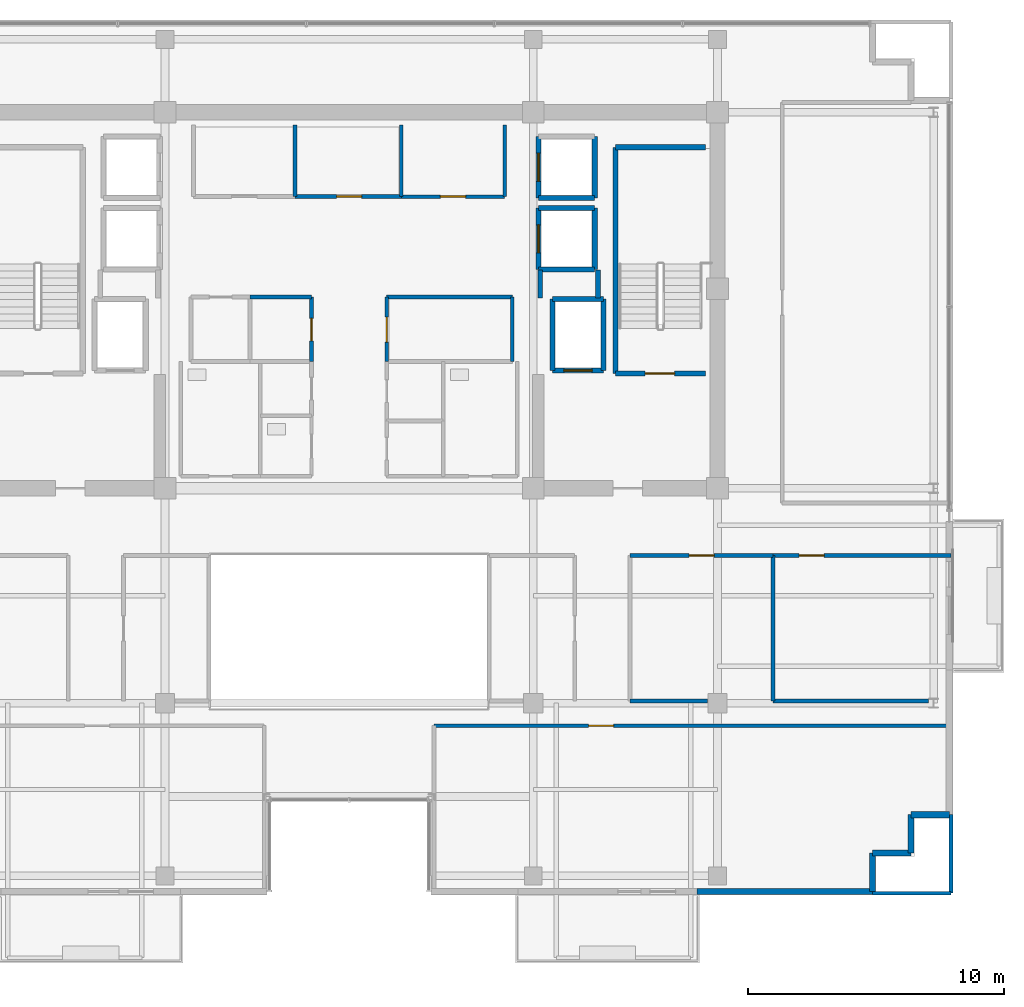
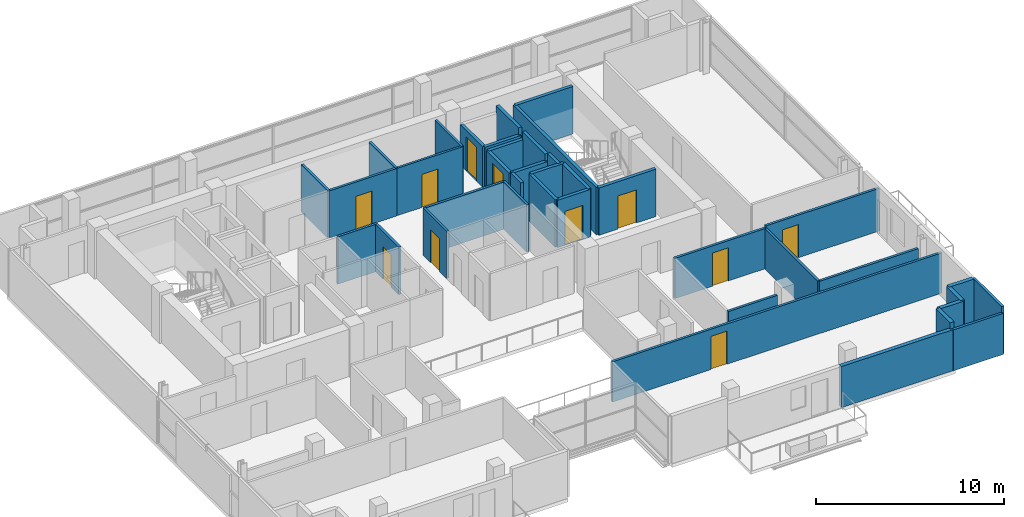
# One storey, part 17 of 22: 39 walls, 11 doors, 11 openings.
"""IFC4 building model written with IfcOpenShell, lengths in metres."""

import ifcopenshell
import ifcopenshell.guid

model = None  # the IFC model being written
_history = None  # IfcOwnerHistory: only IFC2X3 demands one
_inside = {}  # id of a spatial element -> (the spatial element, [elements in it])
_under = {}  # id of a project, library or spatial element -> (it, [spatial elements below it])
_declared = {}  # id of a project -> (the project, [libraries it declares])
_typed = {}  # id of a type object -> (the type object, [elements of that type])
_made_of = {}  # id of a material, layer set ... -> (it, [elements and type objects made of it])


def new_model(schema):
    """Start an empty IFC model of exactly this schema.

    Asked for "IFC4X3", IfcOpenShell would pick the latest addendum, in which some entities
    have other attributes; the version numbers below select the first issue.
    IFC2X3 requires an IfcOwnerHistory on every rooted entity: one is made here for all.
    """
    global model, _history
    if schema == "IFC4X3":
        model = ifcopenshell.file(schema_version=(4, 3, 0, 0))
    else:
        model = ifcopenshell.file(schema=schema)
    _inside.clear()
    _under.clear()
    _declared.clear()
    _typed.clear()
    _made_of.clear()
    _history = None
    if model.schema == "IFC2X3":
        org = make("IfcOrganization", Name="unknown")
        user = make(
            "IfcPersonAndOrganization",
            ThePerson=make("IfcPerson", FamilyName="unknown"),
            TheOrganization=org,
        )
        app = make(
            "IfcApplication",
            ApplicationDeveloper=org,
            Version="unknown",
            ApplicationFullName="unknown",
            ApplicationIdentifier="unknown",
        )
        _history = make(
            "IfcOwnerHistory",
            OwningUser=user,
            OwningApplication=app,
            ChangeAction="ADDED",
            CreationDate=0,
        )
    return model


def make(cls, **values):
    """One entity of the class cls with the attributes given. An attribute that is None is left unset."""
    return model.create_entity(
        cls, **{name: value for name, value in values.items() if value is not None}
    )


def rooted(cls, **values):
    """An entity with a GlobalId (a new one), such as an element, a storey or a relation."""
    return make(cls, GlobalId=ifcopenshell.guid.new(), OwnerHistory=_history, **values)


def si_unit(unit_type, name, prefix=None):
    """IfcSIUnit, for example si_unit("LENGTHUNIT", "METRE", prefix="MILLI")."""
    return make("IfcSIUnit", UnitType=unit_type, Prefix=prefix, Name=name)


def assignment(units):
    """IfcUnitAssignment: the units of a project."""
    return None if units is None else make("IfcUnitAssignment", Units=units)


def point(xyz):
    """IfcCartesianPoint."""
    return None if xyz is None else make("IfcCartesianPoint", Coordinates=xyz)


def direction(xyz):
    """IfcDirection."""
    return None if xyz is None else make("IfcDirection", DirectionRatios=xyz)


def frame(location, z_axis=None, x_axis=None):
    """IfcAxis2Placement3D, a coordinate frame: its origin and axes. An axis left out is left unset."""
    return make(
        "IfcAxis2Placement3D",
        Location=point(location),
        Axis=direction(z_axis),
        RefDirection=direction(x_axis),
    )


def frame_2d(location, x_axis=None):
    """IfcAxis2Placement2D, a coordinate frame in the plane: its origin and x axis."""
    return make(
        "IfcAxis2Placement2D", Location=point(location), RefDirection=direction(x_axis)
    )


def origin():
    """The frame at (0, 0, 0) with its axes left unset."""
    return frame((0.0, 0.0, 0.0))


def place(relative_to, where):
    """IfcLocalPlacement: puts the frame where relative to a parent placement (None: the world)."""
    return make(
        "IfcLocalPlacement", PlacementRelTo=relative_to, RelativePlacement=where
    )


def context(
    kind, dimensions, precision=None, world=None, true_north=None, identifier=None
):
    """IfcGeometricRepresentationContext, for example the 3D "Model" context."""
    return make(
        "IfcGeometricRepresentationContext",
        ContextIdentifier=identifier,
        ContextType=kind,
        CoordinateSpaceDimension=dimensions,
        Precision=precision,
        WorldCoordinateSystem=world,
        TrueNorth=true_north,
    )


def subcontext(parent, identifier, kind, view, scale=None):
    """IfcGeometricRepresentationSubContext, for example "Body" below "Model"."""
    return make(
        "IfcGeometricRepresentationSubContext",
        ContextIdentifier=identifier,
        ContextType=kind,
        ParentContext=parent,
        TargetScale=scale,
        TargetView=view,
    )


def project(units=None, contexts=None):
    """IfcProject with its units and contexts."""
    return rooted(
        "IfcProject",
        Name="project",
        RepresentationContexts=contexts,
        UnitsInContext=assignment(units),
    )


def spatial(cls, under=None, at=None, **own):
    """A site, building, storey or space (cls), placed at a placement, below another one or the project."""
    s = rooted(cls, ObjectPlacement=at, **own)
    if under is not None:
        _under.setdefault(under.id(), (under, []))[1].append(s)
    return s


def profile(cls, at=None, kind="AREA", **sizes):
    """A parametric profile (cls). Its sizes go by their IFC names, for example OverallWidth=200.0."""
    return make(cls, ProfileType=kind, Position=at, **sizes)


def rectangle(**sizes):
    """IfcRectangleProfileDef."""
    return profile("IfcRectangleProfileDef", **sizes)


def extrude(swept, where, along, depth):
    """IfcExtrudedAreaSolid: the profile swept, set in the frame where, extruded along a direction by depth."""
    return make(
        "IfcExtrudedAreaSolid",
        SweptArea=swept,
        Position=where,
        ExtrudedDirection=direction(along),
        Depth=depth,
    )


def shape(context_of_items, identifier, shape_type, items):
    """IfcShapeRepresentation: the items that make up one representation, for example the "Body"."""
    return make(
        "IfcShapeRepresentation",
        ContextOfItems=context_of_items,
        RepresentationIdentifier=identifier,
        RepresentationType=shape_type,
        Items=items,
    )


def source(mapping_origin, context_of_items, identifier, shape_type, items):
    """IfcRepresentationMap: a shape defined once, which mapped items show again and again."""
    return make(
        "IfcRepresentationMap",
        MappingOrigin=mapping_origin,
        MappedRepresentation=shape(context_of_items, identifier, shape_type, items),
    )


def transform(
    local_origin,
    x_axis=None,
    y_axis=None,
    z_axis=None,
    scale=None,
    scale2=None,
    scale3=None,
    uniform=True,
):
    """IfcCartesianTransformationOperator3D, or its non-uniform kind. x_axis, y_axis, z_axis: its Axis1, 2, 3."""
    if uniform:
        return make(
            "IfcCartesianTransformationOperator3D",
            Axis1=direction(x_axis),
            Axis2=direction(y_axis),
            LocalOrigin=point(local_origin),
            Scale=scale,
            Axis3=direction(z_axis),
        )
    return make(
        "IfcCartesianTransformationOperator3DnonUniform",
        Axis1=direction(x_axis),
        Axis2=direction(y_axis),
        LocalOrigin=point(local_origin),
        Scale=scale,
        Axis3=direction(z_axis),
        Scale2=scale2,
        Scale3=scale3,
    )


def mapped(mapping_source, mapping_target):
    """IfcMappedItem: shows the shape of a source again, moved by a transform."""
    return make(
        "IfcMappedItem", MappingSource=mapping_source, MappingTarget=mapping_target
    )


def material(Name=None, Category=None):
    """IfcMaterial."""
    return make("IfcMaterial", Name=Name, Category=Category)


def layer(
    of_material, thickness, ventilated=None, Name=None, Category=None, Priority=None
):
    """IfcMaterialLayer: one layer of a wall or slab, of a material (None: an air gap)."""
    return make(
        "IfcMaterialLayer",
        Material=of_material,
        LayerThickness=thickness,
        IsVentilated=ventilated,
        Name=Name,
        Category=Category,
        Priority=Priority,
    )


def layer_set(layers, Name=None):
    """IfcMaterialLayerSet."""
    return make("IfcMaterialLayerSet", MaterialLayers=layers, LayerSetName=Name)


def made_of(thing, what):
    """Note that an element or type object is made of a material, layer set ...; save() writes the relation."""
    if what is not None:
        _made_of.setdefault(what.id(), (what, []))[1].append(thing)
    return thing


def type_object(cls, material=None, **own):
    """A type object (cls), such as IfcWallType, which elements share."""
    return made_of(rooted(cls, **own), material)


def element(
    cls,
    number,
    at=None,
    inside=None,
    cuts=None,
    type_object=None,
    material=None,
    context=None,
    identifier="Body",
    shape_type=None,
    held_by="IfcProductDefinitionShape",
    body=None,
    shapes=None,
    **own,
):
    """One element of the class cls, such as IfcWall. Its Tag is "e" and its number.

    at: its placement. inside: the storey or other place that contains it. cuts: it is an
    opening in that element (IfcRelVoidsElement). A single representation is given by context,
    identifier, shape_type and body (its items); several are given by shapes. held_by: the class
    of the entity that holds the representations. save() writes the other relations.
    """
    e = rooted(cls, Tag="e%d" % number, ObjectPlacement=at, **own)
    if body is not None:
        shapes = [shape(context, identifier, shape_type, body)]
    if shapes is not None:
        e.Representation = make(held_by, Representations=shapes)
    if inside is not None:
        _inside.setdefault(inside.id(), (inside, []))[1].append(e)
    if cuts is not None:
        rooted(
            "IfcRelVoidsElement", RelatingBuildingElement=cuts, RelatedOpeningElement=e
        )
    if type_object is not None:
        _typed.setdefault(type_object.id(), (type_object, []))[1].append(e)
    return made_of(e, material)


def fill(opening, filler):
    """IfcRelFillsElement: the door or window that sits in an opening."""
    return rooted(
        "IfcRelFillsElement",
        RelatingOpeningElement=opening,
        RelatedBuildingElement=filler,
    )


def aggregate(whole, parts):
    """IfcRelAggregates: a whole, such as a stair, and the parts it consists of."""
    return rooted("IfcRelAggregates", RelatingObject=whole, RelatedObjects=parts)


def save(model, path):
    """Write the relations noted so far, then the file.

    IfcRelAggregates (storeys below a building ...), IfcRelContainedInSpatialStructure (elements
    in a storey), IfcRelDefinesByType, IfcRelAssociatesMaterial and IfcRelDeclares: one each for
    every whole, place, type object, material and project.
    """
    for whole, parts in _under.values():
        aggregate(whole, parts)
    for where, things in _inside.values():
        rooted(
            "IfcRelContainedInSpatialStructure",
            RelatedElements=things,
            RelatingStructure=where,
        )
    for kind, things in _typed.values():
        rooted("IfcRelDefinesByType", RelatedObjects=things, RelatingType=kind)
    for what, things in _made_of.values():
        rooted("IfcRelAssociatesMaterial", RelatedObjects=things, RelatingMaterial=what)
    for by, libraries in _declared.values():
        rooted("IfcRelDeclares", RelatingContext=by, RelatedDefinitions=libraries)
    model.write(path)


model = new_model("IFC4")

# Units and contexts
model_context = context("Model", 3, precision=1e-05, world=origin(), true_north=direction((0.0, 1.0)))
body_context = subcontext(model_context, "Body", "Model", "MODEL_VIEW")
ifc_project = project(units=[si_unit("LENGTHUNIT", "METRE"), si_unit("AREAUNIT", "SQUARE_METRE"), si_unit("VOLUMEUNIT", "CUBIC_METRE"), si_unit("PLANEANGLEUNIT", "RADIAN"), si_unit("MASSUNIT", "GRAM", prefix="KILO")], contexts=[model_context])

# Site, building, storey
site_placement = place(None, origin())
site = spatial("IfcSite", under=ifc_project, at=site_placement, CompositionType="ELEMENT")
building_placement = place(site_placement, origin())
building = spatial("IfcBuilding", under=site, at=building_placement, Name="Zarnakvel Exchange Tower", CompositionType="ELEMENT")
storey_placement = place(building_placement, frame((0.0, 0.0, 245.199951171875)))
storey = spatial("IfcBuildingStorey", under=building, at=storey_placement, Name="L69", CompositionType="ELEMENT", Elevation=245.199951171875)

# Walls
ifc_material_1 = material(Name="Precast concrete C40/50", Category="concrete")
ifc_layer_1 = layer(ifc_material_1, 0.239990234375)
ifc_layer_set_1 = layer_set([ifc_layer_1], Name="Precast concrete C40/50")
wall_type_1 = type_object("IfcWallType", Name="EW-02", PredefinedType="SOLIDWALL", material=ifc_layer_set_1)
for number, where, z_axis, x_axis, name in (
    (1, (21.9599609375, -13.9599609375, 0.0), (0.0, 0.0, 1.0), (1.0, 0.0, 0.0), "L69 Exterior Precast Spandrel Wall EWC-L69-11 (EW-02)"),
    (2, (21.9599609375, -15.4599609375, 0.0), (0.0, 0.0, 1.0), (0.0, 1.0, 0.0), "L69 Exterior Precast Spandrel Wall EWC-L69-12 (EW-02)"),
    (3, (20.4599609375, -15.4599609375, 0.0), (0.0, 0.0, 1.0), (1.0, 0.0, 0.0), "L69 Exterior Precast Spandrel Wall EWC-L69-13 (EW-02)"),
    (4, (20.4599609375, -16.9599609375, 0.0), (0.0, 0.0, 1.0), (0.0, 1.0, 0.0), "L69 Exterior Precast Spandrel Wall EWC-L69-14 (EW-02)"),
):
    element("IfcWall", number, at=place(storey_placement, frame(where, z_axis=z_axis, x_axis=x_axis)), inside=storey, type_object=wall_type_1, Name=name, PredefinedType="SOLIDWALL", context=body_context, shape_type="SweptSolid", body=[
        extrude(rectangle(XDim=1.5, YDim=0.239990234375, at=frame_2d((0.75, 0.0))), origin(), (0.0, 0.0, 1.0), 3.074951171875),
    ])
wall_1_placement = place(storey_placement, frame((13.60009765625, -16.9599609375, 0.0), z_axis=(0.0, 0.0, 1.0), x_axis=(1.0, 0.0, 0.0)))
element("IfcWall", 5, at=wall_1_placement, inside=storey, type_object=wall_type_1, Name="L69 Exterior Precast Spandrel Wall EWC-L69-15 (EW-02)", PredefinedType="SOLIDWALL", context=body_context, shape_type="SweptSolid", body=[
    extrude(rectangle(XDim=6.85986328125, YDim=0.239990234375, at=frame_2d((3.429931640625, 0.0))), origin(), (0.0, 0.0, 1.0), 2.6650390625),
])
ifc_material_2 = material(Name="Fire-Rated Gypsum Stud Partition", Category="gypsum")
ifc_layer_2 = layer(ifc_material_2, 0.14990234375)
ifc_layer_set_2 = layer_set([ifc_layer_2], Name="Fire-Rated Gypsum Stud Partition")
wall_type_2 = type_object("IfcWallType", Name="PT-01", PredefinedType="PARTITIONING", material=ifc_layer_set_2)
wall_2_placement = place(storey_placement, frame((-2.1201171875, 13.0, 0.0), z_axis=(0.0, 0.0, 1.0), x_axis=(0.0, -1.0, 0.0)))
element("IfcWall", 6, at=wall_2_placement, inside=storey, type_object=wall_type_2, Name="L69 Partition Wall PWALL-L69-013 (PT-01)", PredefinedType="PARTITIONING", context=body_context, shape_type="SweptSolid", body=[
    extrude(rectangle(XDim=2.800048828125, YDim=0.14990234375, at=frame_2d((1.39990234375, 0.0))), origin(), (0.0, 0.0, 1.0), 3.074951171875),
])

# Wall, opening, door
wall_3_placement = place(storey_placement, frame((2.0400390625, 10.199951171875, 0.0), z_axis=(0.0, 0.0, 1.0), x_axis=(-1.0, 0.0, 0.0)))
wall_3 = element("IfcWall", 7, at=wall_3_placement, inside=storey, type_object=wall_type_2, Name="L69 Partition Wall PWALL-L69-014 (PT-01)", PredefinedType="PARTITIONING", context=body_context, shape_type="SweptSolid", body=[
    extrude(rectangle(XDim=4.16015625, YDim=0.14990234375, at=frame_2d((2.080078125, 0.0))), origin(), (0.0, 0.0, 1.0), 3.074951171875),
])
opening_1_placement = place(wall_3_placement, frame((1.550048828125, 0.0, 0.0)))
opening_1 = element("IfcOpeningElement", 8, at=opening_1_placement, cuts=wall_3, Name="Opening D-L69-06", PredefinedType="OPENING", context=body_context, shape_type="SweptSolid", body=[
    extrude(rectangle(XDim=0.97998046875, YDim=2.14990234375, at=frame_2d((0.489990234375, 1.074951171875))), frame((0.0, 0.0849609375, 0.0), z_axis=(0.0, -1.0, 0.0), x_axis=(1.0, 0.0, 0.0)), (0.0, 0.0, 1.0), 0.169921875),
])
ifc_material_3 = material(Name="Timber Acoustic Veneer", Category="wood")
door_type_1 = type_object("IfcDoorType", Name="DT-05", OperationType="NOTDEFINED", PredefinedType="DOOR", material=ifc_material_3)
shared_shape_1 = source(origin(), body_context, "Body", "SweptSolid", [
    extrude(rectangle(XDim=0.97998046875, YDim=2.14990234375, at=frame_2d((0.489990234375, 1.074951171875))), frame((0.0, 0.02490234375, 0.0), z_axis=(0.0, -1.0, 0.0), x_axis=(1.0, 0.0, 0.0)), (0.0, 0.0, 1.0), 0.050048828125),
])
door_1_placement = place(opening_1_placement, origin())
door_1 = element("IfcDoor", 9, at=door_1_placement, inside=storey, type_object=door_type_1, Name="L69 Brokerage Filing Room Door D-L69-06", OperationType="SINGLE_SWING_RIGHT", OverallHeight=2.14990234375, OverallWidth=0.97998046875, PredefinedType="DOOR", context=body_context, shape_type="MappedRepresentation", body=[
    mapped(shared_shape_1, transform((0.0, 0.0, 0.0), x_axis=(1.0, 0.0, 0.0), y_axis=(0.0, 1.0, 0.0), z_axis=(0.0, 0.0, 1.0), scale=1.0)),
])
fill(opening_1, door_1)

# Walls
wall_4_placement = place(storey_placement, frame((2.0400390625, 13.0, 0.0), z_axis=(0.0, 0.0, 1.0), x_axis=(0.0, -1.0, 0.0)))
element("IfcWall", 10, at=wall_4_placement, inside=storey, type_object=wall_type_2, Name="L69 Partition Wall PWALL-L69-015 (PT-01)", PredefinedType="PARTITIONING", context=body_context, shape_type="SweptSolid", body=[
    extrude(rectangle(XDim=2.800048828125, YDim=0.14990234375, at=frame_2d((1.39990234375, 0.0))), origin(), (0.0, 0.0, 1.0), 3.074951171875),
])
wall_5_placement = place(storey_placement, frame((-3.8701171875, 6.280029296875, 0.0), z_axis=(0.0, 0.0, 1.0), x_axis=(1.0, 0.0, 0.0)))
element("IfcWall", 11, at=wall_5_placement, inside=storey, type_object=wall_type_2, Name="L69 Partition Wall PWALL-L69-023 (PT-01)", PredefinedType="PARTITIONING", context=body_context, shape_type="SweptSolid", body=[
    extrude(rectangle(XDim=2.400146484375, YDim=0.14990234375, at=frame_2d((1.2001953125, 0.0))), origin(), (0.0, 0.0, 1.0), 3.074951171875),
])

# Wall, opening, door
wall_6_placement = place(storey_placement, frame((-1.469970703125, 6.280029296875, 0.0), z_axis=(0.0, 0.0, 1.0), x_axis=(0.0, -1.0, 0.0)))
wall_6 = element("IfcWall", 12, at=wall_6_placement, inside=storey, type_object=wall_type_2, Name="L69 Partition Wall PWALL-L69-024 (PT-01)", PredefinedType="PARTITIONING", context=body_context, shape_type="SweptSolid", body=[
    extrude(rectangle(XDim=2.52001953125, YDim=0.14990234375, at=frame_2d((1.260009765625, 0.0))), origin(), (0.0, 0.0, 1.0), 3.074951171875),
])
opening_2_placement = place(wall_6_placement, frame((0.840087890625, 0.0, 0.0)))
opening_2 = element("IfcOpeningElement", 13, at=opening_2_placement, cuts=wall_6, Name="Opening D-L69-09", PredefinedType="OPENING", context=body_context, shape_type="SweptSolid", body=[
    extrude(rectangle(XDim=0.8798828125, YDim=2.10009765625, at=frame_2d((0.43994140625, 1.050048828125))), frame((0.0, 0.0849609375, 0.0), z_axis=(0.0, -1.0, 0.0), x_axis=(1.0, 0.0, 0.0)), (0.0, 0.0, 1.0), 0.169921875),
])
ifc_material_4 = material(Name="Painted Galvanised Steel S355", Category="steel")
door_type_2 = type_object("IfcDoorType", Name="DT-08", OperationType="NOTDEFINED", PredefinedType="DOOR", material=ifc_material_4)
shared_shape_2 = source(origin(), body_context, "Body", "SweptSolid", [
    extrude(rectangle(XDim=0.8798828125, YDim=2.10009765625, at=frame_2d((0.43994140625, 1.050048828125))), frame((0.0, 0.02490234375, 0.0), z_axis=(0.0, -1.0, 0.0), x_axis=(1.0, 0.0, 0.0)), (0.0, 0.0, 1.0), 0.050048828125),
])
door_2_placement = place(opening_2_placement, origin())
door_2 = element("IfcDoor", 14, at=door_2_placement, inside=storey, type_object=door_type_2, Name="L69 Core Records Store Door D-L69-09", OperationType="SINGLE_SWING_LEFT", OverallHeight=2.10009765625, OverallWidth=0.8798828125, PredefinedType="DOOR", context=body_context, shape_type="MappedRepresentation", body=[
    mapped(shared_shape_2, transform((0.0, 0.0, 0.0), x_axis=(1.0, 0.0, 0.0), y_axis=(0.0, 1.0, 0.0), z_axis=(0.0, 0.0, 1.0), scale=1.0)),
])
fill(opening_2, door_2)

# Wall
wall_7_placement = place(storey_placement, frame((1.469970703125, 6.280029296875, 0.0), z_axis=(0.0, 0.0, 1.0), x_axis=(1.0, 0.0, 0.0)))
element("IfcWall", 15, at=wall_7_placement, inside=storey, type_object=wall_type_2, Name="L69 Partition Wall PWALL-L69-026 (PT-01)", PredefinedType="PARTITIONING", context=body_context, shape_type="SweptSolid", body=[
    extrude(rectangle(XDim=4.909912109375, YDim=0.14990234375, at=frame_2d((2.455078125, 0.0))), origin(), (0.0, 0.0, 1.0), 3.074951171875),
])

# Wall, opening, door
wall_8_placement = place(storey_placement, frame((1.469970703125, 3.760009765625, 0.0), z_axis=(0.0, 0.0, 1.0), x_axis=(0.0, 1.0, 0.0)))
wall_8 = element("IfcWall", 16, at=wall_8_placement, inside=storey, type_object=wall_type_2, Name="L69 Partition Wall PWALL-L69-027 (PT-01)", PredefinedType="PARTITIONING", context=body_context, shape_type="SweptSolid", body=[
    extrude(rectangle(XDim=2.52001953125, YDim=0.14990234375, at=frame_2d((1.260009765625, 0.0))), origin(), (0.0, 0.0, 1.0), 3.074951171875),
])
opening_3_placement = place(wall_8_placement, frame((0.75, 0.0, 0.0)))
opening_3 = element("IfcOpeningElement", 17, at=opening_3_placement, cuts=wall_8, Name="Opening D-L69-10", PredefinedType="OPENING", context=body_context, shape_type="SweptSolid", body=[
    extrude(rectangle(XDim=0.97998046875, YDim=2.14990234375, at=frame_2d((0.489990234375, 1.074951171875))), frame((0.0, 0.0849609375, 0.0), z_axis=(0.0, -1.0, 0.0), x_axis=(1.0, 0.0, 0.0)), (0.0, 0.0, 1.0), 0.169921875),
])
door_3_placement = place(opening_3_placement, origin())
door_3 = element("IfcDoor", 18, at=door_3_placement, inside=storey, type_object=door_type_1, Name="L69 Telemetry Server Suite Door D-L69-10", OperationType="SINGLE_SWING_RIGHT", OverallHeight=2.14990234375, OverallWidth=0.97998046875, PredefinedType="DOOR", context=body_context, shape_type="MappedRepresentation", body=[
    mapped(shared_shape_1, transform((0.0, 0.0, 0.0), x_axis=(1.0, 0.0, 0.0), y_axis=(0.0, 1.0, 0.0), z_axis=(0.0, 0.0, 1.0), scale=1.0)),
])
fill(opening_3, door_3)

# Walls
wall_9_placement = place(storey_placement, frame((6.3798828125, 6.280029296875, 0.0), z_axis=(0.0, 0.0, 1.0), x_axis=(0.0, -1.0, 0.0)))
element("IfcWall", 19, at=wall_9_placement, inside=storey, type_object=wall_type_2, Name="L69 Partition Wall PWALL-L69-028 (PT-01)", PredefinedType="PARTITIONING", context=body_context, shape_type="SweptSolid", body=[
    extrude(rectangle(XDim=2.52001953125, YDim=0.14990234375, at=frame_2d((1.260009765625, 0.0))), origin(), (0.0, 0.0, 1.0), 3.074951171875),
])
wall_10_placement = place(storey_placement, frame((14.0048828125, -9.52001953125, 0.0), z_axis=(0.0, 0.0, 1.0), x_axis=(-1.0, 0.0, 0.0)))
element("IfcWall", 20, at=wall_10_placement, inside=storey, type_object=wall_type_2, Name="L69 Partition Wall PWALL-L69-052 (PT-01)", PredefinedType="PARTITIONING", context=body_context, shape_type="SweptSolid", body=[
    extrude(rectangle(XDim=3.02490234375, YDim=0.14990234375, at=frame_2d((1.512451171875, 0.0))), origin(), (0.0, 0.0, 1.0), 2.614990234375),
])

# Wall, opening, door
wall_11_placement = place(storey_placement, frame((10.97998046875, -3.830078125, 0.0), z_axis=(0.0, 0.0, 1.0), x_axis=(1.0, 0.0, 0.0)))
wall_11 = element("IfcWall", 21, at=wall_11_placement, inside=storey, type_object=wall_type_2, Name="L69 Partition Wall PWALL-L69-053 (PT-01)", PredefinedType="PARTITIONING", context=body_context, shape_type="SweptSolid", body=[
    extrude(rectangle(XDim=5.595703125, YDim=0.14990234375, at=frame_2d((2.7978515625, 0.0))), origin(), (0.0, 0.0, 1.0), 2.614990234375),
])
opening_4_placement = place(wall_11_placement, frame((2.30810546875, 0.0, 0.0)))
opening_4 = element("IfcOpeningElement", 22, at=opening_4_placement, cuts=wall_11, Name="Opening D-L69-19", PredefinedType="OPENING", context=body_context, shape_type="SweptSolid", body=[
    extrude(rectangle(XDim=0.97998046875, YDim=2.14990234375, at=frame_2d((0.489990234375, 1.074951171875))), frame((0.0, 0.0849609375, 0.0), z_axis=(0.0, -1.0, 0.0), x_axis=(1.0, 0.0, 0.0)), (0.0, 0.0, 1.0), 0.169921875),
])
door_4_placement = place(opening_4_placement, origin())
door_4 = element("IfcDoor", 23, at=door_4_placement, inside=storey, type_object=door_type_1, Name="L69 Meeting Room Door D-L69-19", OperationType="SINGLE_SWING_LEFT", OverallHeight=2.14990234375, OverallWidth=0.97998046875, PredefinedType="DOOR", context=body_context, shape_type="MappedRepresentation", body=[
    mapped(shared_shape_1, transform((0.0, 0.0, 0.0), x_axis=(1.0, 0.0, 0.0), y_axis=(0.0, 1.0, 0.0), z_axis=(0.0, 0.0, 1.0), scale=1.0)),
])
fill(opening_4, door_4)

# Walls
wall_12_placement = place(storey_placement, frame((16.57568359375, -3.830078125, 0.0), z_axis=(0.0, 0.0, 1.0), x_axis=(0.0, -1.0, 0.0)))
element("IfcWall", 24, at=wall_12_placement, inside=storey, type_object=wall_type_2, Name="L69 Partition Wall PWALL-L69-055 (PT-01)", PredefinedType="PARTITIONING", context=body_context, shape_type="SweptSolid", body=[
    extrude(rectangle(XDim=5.68994140625, YDim=0.14990234375, at=frame_2d((2.844970703125, 0.0))), origin(), (0.0, 0.0, 1.0), 2.614990234375),
])
wall_13_placement = place(storey_placement, frame((22.642578125, -9.52001953125, 0.0), z_axis=(0.0, 0.0, 1.0), x_axis=(-1.0, 0.0, 0.0)))
element("IfcWall", 25, at=wall_13_placement, inside=storey, type_object=wall_type_2, Name="L69 Partition Wall PWALL-L69-056 (PT-01)", PredefinedType="PARTITIONING", context=body_context, shape_type="SweptSolid", body=[
    extrude(rectangle(XDim=6.06689453125, YDim=0.14990234375, at=frame_2d((3.033447265625, 0.0))), origin(), (0.0, 0.0, 1.0), 2.614990234375),
])

# Wall, opening, door
wall_14_placement = place(storey_placement, frame((16.57568359375, -3.830078125, 0.0), z_axis=(0.0, 0.0, 1.0), x_axis=(1.0, 0.0, 0.0)))
wall_14 = element("IfcWall", 26, at=wall_14_placement, inside=storey, type_object=wall_type_2, Name="L69 Partition Wall PWALL-L69-057 (PT-01)", PredefinedType="PARTITIONING", context=body_context, shape_type="SweptSolid", body=[
    extrude(rectangle(XDim=6.954345703125, YDim=0.14990234375, at=frame_2d((3.47705078125, 0.0))), origin(), (0.0, 0.0, 1.0), 2.76513671875),
])
opening_5_placement = place(wall_14_placement, frame((1.012451171875, 0.0, 0.0)))
opening_5 = element("IfcOpeningElement", 27, at=opening_5_placement, cuts=wall_14, Name="Opening D-L69-20", PredefinedType="OPENING", context=body_context, shape_type="SweptSolid", body=[
    extrude(rectangle(XDim=0.97998046875, YDim=2.14990234375, at=frame_2d((0.489990234375, 1.074951171875))), frame((0.0, 0.0849609375, 0.0), z_axis=(0.0, -1.0, 0.0), x_axis=(1.0, 0.0, 0.0)), (0.0, 0.0, 1.0), 0.169921875),
])
door_5_placement = place(opening_5_placement, origin())
door_5 = element("IfcDoor", 28, at=door_5_placement, inside=storey, type_object=door_type_1, Name="L69 Executive Office Door D-L69-20", OperationType="SINGLE_SWING_RIGHT", OverallHeight=2.14990234375, OverallWidth=0.97998046875, PredefinedType="DOOR", context=body_context, shape_type="MappedRepresentation", body=[
    mapped(shared_shape_1, transform((0.0, 0.0, 0.0), x_axis=(1.0, 0.0, 0.0), y_axis=(0.0, 1.0, 0.0), z_axis=(0.0, 0.0, 1.0), scale=1.0)),
])
fill(opening_5, door_5)

# Wall
wall_15_placement = place(storey_placement, frame((23.530029296875, -17.030029296875, 0.0), z_axis=(0.0, 0.0, 1.0), x_axis=(-1.0, 0.0, 0.0)))
element("IfcWall", 29, at=wall_15_placement, inside=storey, type_object=wall_type_2, Name="L69 Partition Wall PWALL-L69-059 (PT-01)", PredefinedType="PARTITIONING", context=body_context, shape_type="SweptSolid", body=[
    extrude(rectangle(XDim=3.070068359375, YDim=0.14990234375, at=frame_2d((1.53515625, 0.0))), origin(), (0.0, 0.0, 1.0), 2.6650390625),
])

# Wall, opening, door
wall_16_placement = place(storey_placement, frame((3.320068359375, -10.47998046875, 0.0), z_axis=(0.0, 0.0, 1.0), x_axis=(1.0, 0.0, 0.0)))
wall_16 = element("IfcWall", 30, at=wall_16_placement, inside=storey, type_object=wall_type_2, Name="L69 Partition Wall PWALL-L69-060 (PT-01)", PredefinedType="PARTITIONING", context=body_context, shape_type="SweptSolid", body=[
    extrude(rectangle(XDim=20.2099609375, YDim=0.14990234375, at=frame_2d((10.10498046875, 0.0))), origin(), (0.0, 0.0, 1.0), 2.614990234375),
])
opening_6_placement = place(wall_16_placement, frame((6.0400390625, 0.0, 0.0)))
opening_6 = element("IfcOpeningElement", 31, at=opening_6_placement, cuts=wall_16, Name="Opening D-L69-21", PredefinedType="OPENING", context=body_context, shape_type="SweptSolid", body=[
    extrude(rectangle(XDim=0.97998046875, YDim=2.14990234375, at=frame_2d((0.489990234375, 1.074951171875))), frame((0.0, 0.0849609375, 0.0), z_axis=(0.0, -1.0, 0.0), x_axis=(1.0, 0.0, 0.0)), (0.0, 0.0, 1.0), 0.169921875),
])
door_6_placement = place(opening_6_placement, origin())
door_6 = element("IfcDoor", 32, at=door_6_placement, inside=storey, type_object=door_type_1, Name="L69 Asset Management Office Door D-L69-21", OperationType="SINGLE_SWING_LEFT", OverallHeight=2.14990234375, OverallWidth=0.97998046875, PredefinedType="DOOR", context=body_context, shape_type="MappedRepresentation", body=[
    mapped(shared_shape_1, transform((0.0, 0.0, 0.0), x_axis=(1.0, 0.0, 0.0), y_axis=(0.0, 1.0, 0.0), z_axis=(0.0, 0.0, 1.0), scale=1.0)),
])
fill(opening_6, door_6)

# Walls
wall_17_placement = place(storey_placement, frame((23.530029296875, -13.9599609375, 0.0), z_axis=(0.0, 0.0, 1.0), x_axis=(0.0, -1.0, 0.0)))
element("IfcWall", 33, at=wall_17_placement, inside=storey, type_object=wall_type_2, Name="L69 Partition Wall PWALL-L69-062 (PT-01)", PredefinedType="PARTITIONING", context=body_context, shape_type="SweptSolid", body=[
    extrude(rectangle(XDim=3.070068359375, YDim=0.14990234375, at=frame_2d((1.53515625, 0.0))), origin(), (0.0, 0.0, 1.0), 3.074951171875),
])
ifc_layer_3 = layer(ifc_material_2, 0.179931640625)
ifc_layer_set_3 = layer_set([ifc_layer_3], Name="Fire-Rated Gypsum Stud Partition")
wall_type_3 = type_object("IfcWallType", Name="PT-02", PredefinedType="PARTITIONING", material=ifc_layer_set_3)
wall_18_placement = place(storey_placement, frame((7.469970703125, 6.239990234375, 0.0), z_axis=(0.0, 0.0, 1.0), x_axis=(0.0, 1.0, 0.0)))
element("IfcWall", 34, at=wall_18_placement, inside=storey, type_object=wall_type_3, Name="L69 Partition Wall PWALL-L69-009 (PT-02)", PredefinedType="PARTITIONING", context=body_context, shape_type="SweptSolid", body=[
    extrude(rectangle(XDim=1.090087890625, YDim=0.179931640625, at=frame_2d((0.544921875, 0.0))), origin(), (0.0, 0.0, 1.0), 2.614990234375),
])
wall_19_placement = place(storey_placement, frame((9.72998046875, 7.330078125, 0.0), z_axis=(0.0, 0.0, 1.0), x_axis=(0.0, -1.0, 0.0)))
element("IfcWall", 35, at=wall_19_placement, inside=storey, type_object=wall_type_3, Name="L69 Partition Wall PWALL-L69-010 (PT-02)", PredefinedType="PARTITIONING", context=body_context, shape_type="SweptSolid", body=[
    extrude(rectangle(XDim=1.090087890625, YDim=0.179931640625, at=frame_2d((0.544921875, 0.0))), origin(), (0.0, 0.0, 1.0), 3.074951171875),
])

# Wall, opening, door
ifc_material_5 = material(Name="Moisture-Resistant Tile-Faced Partition", Category="gypsum")
ifc_layer_4 = layer(ifc_material_5, 0.135009765625)
ifc_layer_set_4 = layer_set([ifc_layer_4], Name="Moisture-Resistant Tile-Faced Partition")
wall_type_4 = type_object("IfcWallType", Name="PT-03", PredefinedType="PARTITIONING", material=ifc_layer_set_4)
wall_20_placement = place(storey_placement, frame((6.080078125, 10.199951171875, 0.0), z_axis=(0.0, 0.0, 1.0), x_axis=(-1.0, 0.0, 0.0)))
wall_20 = element("IfcWall", 36, at=wall_20_placement, inside=storey, type_object=wall_type_4, Name="L69 Partition Wall PWALL-L69-016 (PT-03)", PredefinedType="PARTITIONING", context=body_context, shape_type="SweptSolid", body=[
    extrude(rectangle(XDim=4.0400390625, YDim=0.135009765625, at=frame_2d((2.02001953125, 0.0))), origin(), (0.0, 0.0, 1.0), 3.074951171875),
])
opening_7_placement = place(wall_20_placement, frame((1.530029296875, 0.0, 0.0)))
opening_7 = element("IfcOpeningElement", 37, at=opening_7_placement, cuts=wall_20, Name="Opening D-L69-07", PredefinedType="OPENING", context=body_context, shape_type="SweptSolid", body=[
    extrude(rectangle(XDim=0.97998046875, YDim=2.14990234375, at=frame_2d((0.489990234375, 1.074951171875))), frame((0.0, 0.077392578125, 0.0), z_axis=(0.0, -1.0, 0.0), x_axis=(1.0, 0.0, 0.0)), (0.0, 0.0, 1.0), 0.155029296875),
])
door_7_placement = place(opening_7_placement, origin())
door_7 = element("IfcDoor", 38, at=door_7_placement, inside=storey, type_object=door_type_1, Name="L69 Executive Tea Pantry Door D-L69-07", OperationType="SINGLE_SWING_LEFT", OverallHeight=2.14990234375, OverallWidth=0.97998046875, PredefinedType="DOOR", context=body_context, shape_type="MappedRepresentation", body=[
    mapped(shared_shape_1, transform((0.0, 0.0, 0.0), x_axis=(1.0, 0.0, 0.0), y_axis=(0.0, 1.0, 0.0), z_axis=(0.0, 0.0, 1.0), scale=1.0)),
])
fill(opening_7, door_7)

# Wall
wall_21_placement = place(storey_placement, frame((6.080078125, 13.0, 0.0), z_axis=(0.0, 0.0, 1.0), x_axis=(0.0, -1.0, 0.0)))
element("IfcWall", 39, at=wall_21_placement, inside=storey, type_object=wall_type_4, Name="L69 Partition Wall PWALL-L69-017 (PT-03)", PredefinedType="PARTITIONING", context=body_context, shape_type="SweptSolid", body=[
    extrude(rectangle(XDim=2.800048828125, YDim=0.135009765625, at=frame_2d((1.39990234375, 0.0))), origin(), (0.0, 0.0, 1.0), 3.074951171875),
])

# Wall, opening, door
ifc_material_6 = material(Name="Concrete C40/50", Category="concrete")
ifc_layer_5 = layer(ifc_material_6, 0.199951171875)
ifc_layer_set_5 = layer_set([ifc_layer_5], Name="Concrete C40/50")
wall_type_5 = type_object("IfcWallType", Name="SW-01", PredefinedType="SOLIDWALL", material=ifc_layer_set_5)
wall_22_placement = place(storey_placement, frame((9.949951171875, 3.39990234375, 0.0), z_axis=(0.0, 0.0, 1.0), x_axis=(-1.0, 0.0, 0.0)))
wall_22 = element("IfcWall", 40, at=wall_22_placement, inside=storey, type_object=wall_type_5, Name="L69 FL-02 Hoistway Wall South", PredefinedType="SOLIDWALL", context=body_context, shape_type="SweptSolid", body=[
    extrude(rectangle(XDim=2.0, YDim=0.199951171875, at=frame_2d((1.0, 0.0))), origin(), (0.0, 0.0, 1.0), 3.074951171875),
])
opening_8_placement = place(wall_22_placement, frame((0.449951171875, 0.0, 0.0)))
opening_8 = element("IfcOpeningElement", 41, at=opening_8_placement, cuts=wall_22, Name="Opening LD-FL-02-L69", PredefinedType="OPENING", context=body_context, shape_type="SweptSolid", body=[
    extrude(rectangle(XDim=1.10009765625, YDim=2.199951171875, at=frame_2d((0.550048828125, 1.10009765625))), frame((0.0, 0.10986328125, 0.0), z_axis=(0.0, -1.0, 0.0), x_axis=(1.0, 0.0, 0.0)), (0.0, 0.0, 1.0), 0.219970703125),
])
ifc_material_7 = material(Name="Brushed Stainless Steel", Category="steel")
door_type_3 = type_object("IfcDoorType", Name="LDT-01", OperationType="NOTDEFINED", PredefinedType="DOOR", material=ifc_material_7)
shared_shape_3 = source(origin(), body_context, "Body", "SweptSolid", [
    extrude(rectangle(XDim=1.10009765625, YDim=2.199951171875, at=frame_2d((0.550048828125, 1.10009765625))), frame((0.0, 0.02490234375, 0.0), z_axis=(0.0, -1.0, 0.0), x_axis=(1.0, 0.0, 0.0)), (0.0, 0.0, 1.0), 0.050048828125),
])
door_8_placement = place(opening_8_placement, origin())
door_8 = element("IfcDoor", 42, at=door_8_placement, inside=storey, type_object=door_type_3, Name="L69 FL-02 Lift Landing Door LD-FL-02-L69", OperationType="DOUBLE_DOOR_SLIDING", OverallHeight=2.199951171875, OverallWidth=1.10009765625, PredefinedType="DOOR", context=body_context, shape_type="MappedRepresentation", body=[
    mapped(shared_shape_3, transform((0.0, 0.0, 0.0), x_axis=(1.0, 0.0, 0.0), y_axis=(0.0, 1.0, 0.0), z_axis=(0.0, 0.0, 1.0), scale=1.0)),
])
fill(opening_8, door_8)

# Walls
wall_23_placement = place(storey_placement, frame((7.949951171875, 6.199951171875, 0.0), z_axis=(0.0, 0.0, 1.0), x_axis=(1.0, 0.0, 0.0)))
element("IfcWall", 43, at=wall_23_placement, inside=storey, type_object=wall_type_5, Name="L69 FL-02 Hoistway Wall North", PredefinedType="SOLIDWALL", context=body_context, shape_type="SweptSolid", body=[
    extrude(rectangle(XDim=2.0, YDim=0.199951171875, at=frame_2d((1.0, 0.0))), origin(), (0.0, 0.0, 1.0), 3.074951171875),
])
for number, where, z_axis, x_axis, name in (
    (44, (7.949951171875, 3.39990234375, 0.0), (0.0, 0.0, 1.0), (0.0, 1.0, 0.0), "L69 FL-02 Hoistway Wall West"),
    (45, (9.949951171875, 6.199951171875, 0.0), (0.0, 0.0, 1.0), (0.0, -1.0, 0.0), "L69 FL-02 Hoistway Wall East"),
):
    element("IfcWall", number, at=place(storey_placement, frame(where, z_axis=z_axis, x_axis=x_axis)), inside=storey, type_object=wall_type_5, Name=name, PredefinedType="SOLIDWALL", context=body_context, shape_type="SweptSolid", body=[
        extrude(rectangle(XDim=2.800048828125, YDim=0.199951171875, at=frame_2d((1.39990234375, 0.0))), origin(), (0.0, 0.0, 1.0), 3.074951171875),
    ])
for number, where, z_axis, x_axis, name in (
    (46, (9.60009765625, 7.35009765625, 0.0), (0.0, 0.0, 1.0), (-1.0, 0.0, 0.0), "L69 PL-11 Hoistway Wall South"),
    (47, (7.39990234375, 9.75, 0.0), (0.0, 0.0, 1.0), (1.0, 0.0, 0.0), "L69 PL-11 Hoistway Wall North"),
):
    element("IfcWall", number, at=place(storey_placement, frame(where, z_axis=z_axis, x_axis=x_axis)), inside=storey, type_object=wall_type_5, Name=name, PredefinedType="SOLIDWALL", context=body_context, shape_type="SweptSolid", body=[
        extrude(rectangle(XDim=2.2001953125, YDim=0.199951171875, at=frame_2d((1.10009765625, 0.0))), origin(), (0.0, 0.0, 1.0), 2.614990234375),
    ])

# Wall, opening, door
wall_24_placement = place(storey_placement, frame((7.39990234375, 7.35009765625, 0.0), z_axis=(0.0, 0.0, 1.0), x_axis=(0.0, 1.0, 0.0)))
wall_24 = element("IfcWall", 48, at=wall_24_placement, inside=storey, type_object=wall_type_5, Name="L69 PL-11 Hoistway Wall West", PredefinedType="SOLIDWALL", context=body_context, shape_type="SweptSolid", body=[
    extrude(rectangle(XDim=2.39990234375, YDim=0.199951171875, at=frame_2d((1.199951171875, 0.0))), origin(), (0.0, 0.0, 1.0), 2.614990234375),
])
opening_9_placement = place(wall_24_placement, frame((0.64990234375, 0.0, 0.0)))
opening_9 = element("IfcOpeningElement", 49, at=opening_9_placement, cuts=wall_24, Name="Opening LD-PL-11-L69", PredefinedType="OPENING", context=body_context, shape_type="SweptSolid", body=[
    extrude(rectangle(XDim=1.10009765625, YDim=2.199951171875, at=frame_2d((0.550048828125, 1.10009765625))), frame((0.0, 0.10986328125, 0.0), z_axis=(0.0, -1.0, 0.0), x_axis=(1.0, 0.0, 0.0)), (0.0, 0.0, 1.0), 0.219970703125),
])
ifc_material_8 = material(Name="Architectural Bronze Anodised Aluminium", Category="aluminium")
door_type_4 = type_object("IfcDoorType", Name="LDT-02", OperationType="NOTDEFINED", PredefinedType="DOOR", material=ifc_material_8)
door_9_placement = place(opening_9_placement, origin())
door_9 = element("IfcDoor", 50, at=door_9_placement, inside=storey, type_object=door_type_4, Name="L69 PL-11 Lift Landing Door LD-PL-11-L69", OperationType="DOUBLE_DOOR_SLIDING", OverallHeight=2.199951171875, OverallWidth=1.10009765625, PredefinedType="DOOR", context=body_context, shape_type="MappedRepresentation", body=[
    mapped(shared_shape_3, transform((0.0, 0.0, 0.0), x_axis=(1.0, 0.0, 0.0), y_axis=(0.0, 1.0, 0.0), z_axis=(0.0, 0.0, 1.0), scale=1.0)),
])
fill(opening_9, door_9)

# Walls
wall_25_placement = place(storey_placement, frame((9.60009765625, 9.75, 0.0), z_axis=(0.0, 0.0, 1.0), x_axis=(0.0, -1.0, 0.0)))
element("IfcWall", 51, at=wall_25_placement, inside=storey, type_object=wall_type_5, Name="L69 PL-11 Hoistway Wall East", PredefinedType="SOLIDWALL", context=body_context, shape_type="SweptSolid", body=[
    extrude(rectangle(XDim=2.39990234375, YDim=0.199951171875, at=frame_2d((1.199951171875, 0.0))), origin(), (0.0, 0.0, 1.0), 3.074951171875),
])
wall_26_placement = place(storey_placement, frame((9.60009765625, 10.14990234375, 0.0), z_axis=(0.0, 0.0, 1.0), x_axis=(-1.0, 0.0, 0.0)))
element("IfcWall", 52, at=wall_26_placement, inside=storey, type_object=wall_type_5, Name="L69 PL-12 Hoistway Wall South", PredefinedType="SOLIDWALL", context=body_context, shape_type="SweptSolid", body=[
    extrude(rectangle(XDim=2.2001953125, YDim=0.199951171875, at=frame_2d((1.10009765625, 0.0))), origin(), (0.0, 0.0, 1.0), 2.614990234375),
])

# Wall, opening, door
wall_27_placement = place(storey_placement, frame((7.39990234375, 10.14990234375, 0.0), z_axis=(0.0, 0.0, 1.0), x_axis=(0.0, 1.0, 0.0)))
wall_27 = element("IfcWall", 53, at=wall_27_placement, inside=storey, type_object=wall_type_5, Name="L69 PL-12 Hoistway Wall West", PredefinedType="SOLIDWALL", context=body_context, shape_type="SweptSolid", body=[
    extrude(rectangle(XDim=2.400146484375, YDim=0.199951171875, at=frame_2d((1.2001953125, 0.0))), origin(), (0.0, 0.0, 1.0), 2.614990234375),
])
opening_10_placement = place(wall_27_placement, frame((0.64990234375, 0.0, 0.0)))
opening_10 = element("IfcOpeningElement", 54, at=opening_10_placement, cuts=wall_27, Name="Opening LD-PL-12-L69", PredefinedType="OPENING", context=body_context, shape_type="SweptSolid", body=[
    extrude(rectangle(XDim=1.10009765625, YDim=2.199951171875, at=frame_2d((0.550048828125, 1.10009765625))), frame((0.0, 0.10986328125, 0.0), z_axis=(0.0, -1.0, 0.0), x_axis=(1.0, 0.0, 0.0)), (0.0, 0.0, 1.0), 0.219970703125),
])
door_10_placement = place(opening_10_placement, origin())
door_10 = element("IfcDoor", 55, at=door_10_placement, inside=storey, type_object=door_type_4, Name="L69 PL-12 Lift Landing Door LD-PL-12-L69", OperationType="DOUBLE_DOOR_SLIDING", OverallHeight=2.199951171875, OverallWidth=1.10009765625, PredefinedType="DOOR", context=body_context, shape_type="MappedRepresentation", body=[
    mapped(shared_shape_3, transform((0.0, 0.0, 0.0), x_axis=(1.0, 0.0, 0.0), y_axis=(0.0, 1.0, 0.0), z_axis=(0.0, 0.0, 1.0), scale=1.0)),
])
fill(opening_10, door_10)

# Wall
wall_28_placement = place(storey_placement, frame((9.60009765625, 12.550048828125, 0.0), z_axis=(0.0, 0.0, 1.0), x_axis=(0.0, -1.0, 0.0)))
element("IfcWall", 56, at=wall_28_placement, inside=storey, type_object=wall_type_5, Name="L69 PL-12 Hoistway Wall East", PredefinedType="SOLIDWALL", context=body_context, shape_type="SweptSolid", body=[
    extrude(rectangle(XDim=2.400146484375, YDim=0.199951171875, at=frame_2d((1.2001953125, 0.0))), origin(), (0.0, 0.0, 1.0), 3.074951171875),
])

# Wall, opening, door
ifc_layer_6 = layer(ifc_material_6, 0.199951171875)
ifc_layer_set_6 = layer_set([ifc_layer_6], Name="Concrete C40/50")
wall_type_6 = type_object("IfcWallType", Name="SW-02", PredefinedType="SOLIDWALL", material=ifc_layer_set_6)
wall_29_placement = place(storey_placement, frame((13.929931640625, 3.2900390625, 0.0), z_axis=(0.0, 0.0, 1.0), x_axis=(-1.0, 0.0, 0.0)))
wall_29 = element("IfcWall", 57, at=wall_29_placement, inside=storey, type_object=wall_type_6, Name="L69 Stairwell Core Wall PWALL-L69-004 (SW-02)", PredefinedType="SOLIDWALL", context=body_context, shape_type="SweptSolid", body=[
    extrude(rectangle(XDim=3.52001953125, YDim=0.199951171875, at=frame_2d((1.760009765625, 0.0))), origin(), (0.0, 0.0, 1.0), 3.074951171875),
])
opening_11_placement = place(wall_29_placement, frame((1.205078125, 0.0, 0.0)))
opening_11 = element("IfcOpeningElement", 58, at=opening_11_placement, cuts=wall_29, Name="Opening D-L69-02", PredefinedType="OPENING", context=body_context, shape_type="SweptSolid", body=[
    extrude(rectangle(XDim=1.14990234375, YDim=2.14990234375, at=frame_2d((0.574951171875, 1.074951171875))), frame((0.0, 0.10986328125, 0.0), z_axis=(0.0, -1.0, 0.0), x_axis=(1.0, 0.0, 0.0)), (0.0, 0.0, 1.0), 0.219970703125),
])
door_type_5 = type_object("IfcDoorType", Name="DT-04", OperationType="NOTDEFINED", PredefinedType="DOOR", material=ifc_material_4)
shared_shape_4 = source(origin(), body_context, "Body", "SweptSolid", [
    extrude(rectangle(XDim=1.14990234375, YDim=2.14990234375, at=frame_2d((0.574951171875, 1.074951171875))), frame((0.0, 0.02490234375, 0.0), z_axis=(0.0, -1.0, 0.0), x_axis=(1.0, 0.0, 0.0)), (0.0, 0.0, 1.0), 0.050048828125),
])
door_11_placement = place(opening_11_placement, origin())
door_11 = element("IfcDoor", 59, at=door_11_placement, inside=storey, type_object=door_type_5, Name="L69 Stairwell ST-02 Door D-L69-02", OperationType="SINGLE_SWING_RIGHT", OverallHeight=2.14990234375, OverallWidth=1.14990234375, PredefinedType="DOOR", context=body_context, shape_type="MappedRepresentation", body=[
    mapped(shared_shape_4, transform((0.0, 0.0, 0.0), x_axis=(1.0, 0.0, 0.0), y_axis=(0.0, 1.0, 0.0), z_axis=(0.0, 0.0, 1.0), scale=1.0)),
])
fill(opening_11, door_11)

# Walls
wall_30_placement = place(storey_placement, frame((10.409912109375, 12.1298828125, 0.0), z_axis=(0.0, 0.0, 1.0), x_axis=(1.0, 0.0, 0.0)))
element("IfcWall", 60, at=wall_30_placement, inside=storey, type_object=wall_type_6, Name="L69 Stairwell Core Wall PWALL-L69-005 (SW-02)", PredefinedType="SOLIDWALL", context=body_context, shape_type="SweptSolid", body=[
    extrude(rectangle(XDim=3.52001953125, YDim=0.199951171875, at=frame_2d((1.760009765625, 0.0))), origin(), (0.0, 0.0, 1.0), 3.074951171875),
])
wall_31_placement = place(storey_placement, frame((10.409912109375, 3.2900390625, 0.0), z_axis=(0.0, 0.0, 1.0), x_axis=(0.0, 1.0, 0.0)))
element("IfcWall", 61, at=wall_31_placement, inside=storey, type_object=wall_type_6, Name="L69 Stairwell Core Wall PWALL-L69-006 (SW-02)", PredefinedType="SOLIDWALL", context=body_context, shape_type="SweptSolid", body=[
    extrude(rectangle(XDim=8.83984375, YDim=0.199951171875, at=frame_2d((4.419921875, 0.0))), origin(), (0.0, 0.0, 1.0), 3.074951171875),
])

save(model, "model.ifc")
